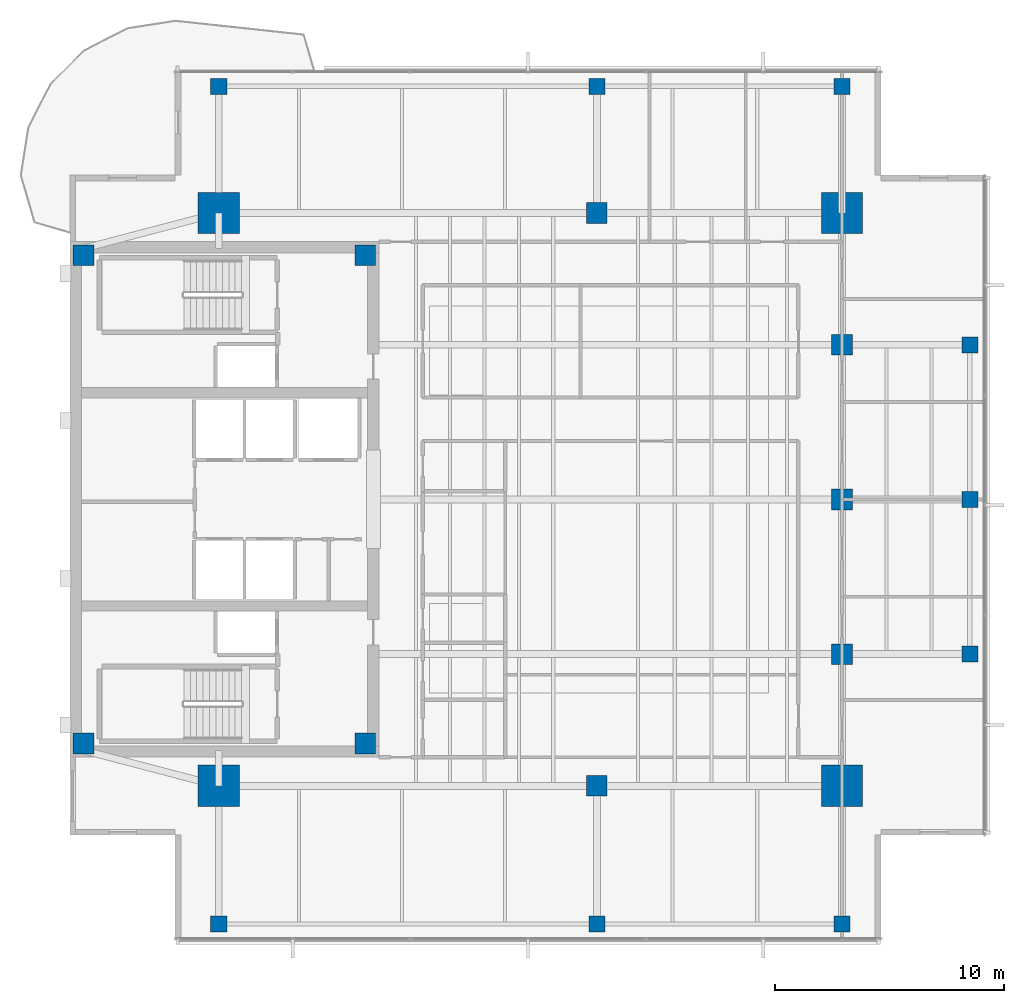
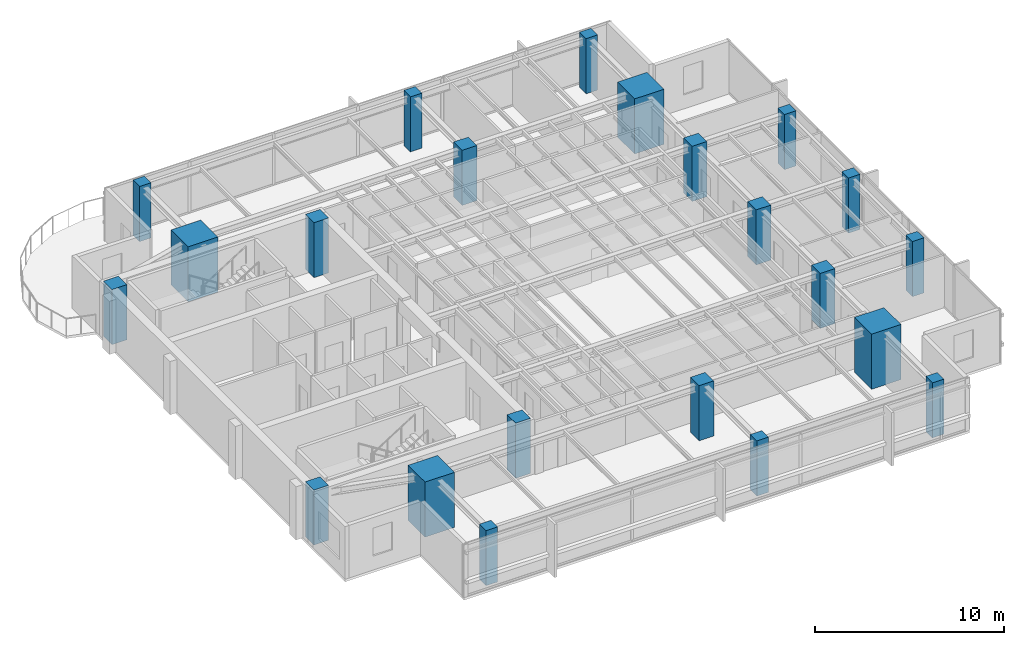
# One storey, part 1 of 13: 22 columns.
"""IFC4 building model written with IfcOpenShell, lengths in metres."""

from ifc_helpers import new_model, si_unit, direction, frame, origin, origin_2d, place, context, subcontext, project, spatial, rectangle, extrude, material, material_profile, profile_set, type_object, element, save


model = new_model("IFC4")

# Units and contexts
model_context = context("Model", 3, precision=1e-05, world=origin(), true_north=direction((0.0, 1.0)))
body_context = subcontext(model_context, "Body", "Model", "MODEL_VIEW")
ifc_project = project(units=[si_unit("LENGTHUNIT", "METRE"), si_unit("AREAUNIT", "SQUARE_METRE"), si_unit("VOLUMEUNIT", "CUBIC_METRE"), si_unit("PLANEANGLEUNIT", "RADIAN"), si_unit("MASSUNIT", "GRAM", prefix="KILO")], contexts=[model_context])

# Site, building, storey
site_placement = place(None, origin())
site = spatial("IfcSite", under=ifc_project, at=site_placement, CompositionType="ELEMENT")
building_placement = place(site_placement, origin())
building = spatial("IfcBuilding", under=site, at=building_placement, Name="Kinhvarn Gate Tower", CompositionType="ELEMENT")
storey_placement = place(building_placement, frame((0.0, 0.0, 288.300048828125)))
storey = spatial("IfcBuildingStorey", under=building, at=storey_placement, Name="L77", CompositionType="ELEMENT", Elevation=288.300048828125)

# Columns
ifc_material_1 = material(Name="Concrete C60/75", Category="concrete")
ifc_material_profile_1 = material_profile(ifc_material_1, rectangle(XDim=1.800048828125, YDim=1.800048828125, at=origin_2d()), Name="RC 1800x1800")
ifc_profile_set_1 = profile_set([ifc_material_profile_1], Name="Concrete C60/75")
column_type_1 = type_object("IfcColumnType", Name="COL-MC-1800", PredefinedType="COLUMN", material=ifc_profile_set_1)
for number, where, z_axis, x_axis, name in (
    (1, (11.0, 12.75, 0.0), (0.0, 0.0, 1.0), (1.0, 0.0, 0.0), "Column MC1-L77 (MC-18)"),
    (2, (11.0, 37.75, 0.0), (0.0, 0.0, 1.0), (1.0, 0.0, 0.0), "Column MC4-L77 (MC-18)"),
    (3, (38.199951171875, 12.75, 0.0), (0.0, 0.0, 1.0), (1.0, 0.0, 0.0), "Column MC2-L77 (MC-18)"),
    (4, (38.199951171875, 37.75, 0.0), (0.0, 0.0, 1.0), (1.0, 0.0, 0.0), "Column MC3-L77 (MC-18)"),
):
    element("IfcColumn", number, at=place(storey_placement, frame(where, z_axis=z_axis, x_axis=x_axis)), inside=storey, type_object=column_type_1, Name=name, PredefinedType="COLUMN", context=body_context, shape_type="SweptSolid", body=[
        extrude(rectangle(XDim=1.800048828125, YDim=1.800048828125, at=origin_2d()), origin(), (0.0, 0.0, 1.0), 3.550048828125),
    ])
ifc_material_2 = material(Name="Concrete C50/60", Category="concrete")
ifc_material_profile_2 = material_profile(ifc_material_2, rectangle(XDim=0.699951171875, YDim=0.699951171875, at=origin_2d()), Name="RC 700x700")
ifc_profile_set_2 = profile_set([ifc_material_profile_2], Name="Concrete C50/60")
column_type_2 = type_object("IfcColumnType", Name="COL-RC-700", PredefinedType="COLUMN", material=ifc_profile_set_2)
for number, where, z_axis, x_axis, name in (
    (5, (43.780029296875, 18.5, 0.0), (0.0, 0.0, 1.0), (1.0, 0.0, 0.0), "Column CE-1-L77 (C-070)"),
    (6, (43.780029296875, 25.25, 0.0), (0.0, 0.0, 1.0), (1.0, 0.0, 0.0), "Column CE-2-L77 (C-070)"),
    (7, (43.780029296875, 32.0, 0.0), (0.0, 0.0, 1.0), (1.0, 0.0, 0.0), "Column CE-3-L77 (C-070)"),
    (8, (11.0, 6.719970703125, 0.0), (0.0, 0.0, 1.0), (1.0, 0.0, 0.0), "Column CS-0-L77 (C-070)"),
    (9, (27.5, 6.719970703125, 0.0), (0.0, 0.0, 1.0), (1.0, 0.0, 0.0), "Column CS-1-L77 (C-070)"),
    (10, (38.199951171875, 6.719970703125, 0.0), (0.0, 0.0, 1.0), (1.0, 0.0, 0.0), "Column CS-2-L77 (C-070)"),
    (11, (11.0, 43.280029296875, 0.0), (0.0, 0.0, 1.0), (1.0, 0.0, 0.0), "Column CN-0-L77 (C-070)"),
    (12, (27.5, 43.280029296875, 0.0), (0.0, 0.0, 1.0), (1.0, 0.0, 0.0), "Column CN-1-L77 (C-070)"),
    (13, (38.199951171875, 43.280029296875, 0.0), (0.0, 0.0, 1.0), (1.0, 0.0, 0.0), "Column CN-2-L77 (C-070)"),
):
    element("IfcColumn", number, at=place(storey_placement, frame(where, z_axis=z_axis, x_axis=x_axis)), inside=storey, type_object=column_type_2, Name=name, PredefinedType="COLUMN", context=body_context, shape_type="SweptSolid", body=[
        extrude(rectangle(XDim=0.699951171875, YDim=0.699951171875, at=origin_2d()), origin(), (0.0, 0.0, 1.0), 3.550048828125),
    ])
ifc_material_profile_3 = material_profile(ifc_material_1, rectangle(XDim=0.89990234375, YDim=0.89990234375, at=origin_2d()), Name="RC 900x900")
ifc_profile_set_3 = profile_set([ifc_material_profile_3], Name="Concrete C60/75")
column_type_3 = type_object("IfcColumnType", Name="COL-RC-900", PredefinedType="COLUMN", material=ifc_profile_set_3)
for number, where, z_axis, x_axis, name in (
    (14, (27.5, 12.75, 0.0), (0.0, 0.0, 1.0), (1.0, 0.0, 0.0), "Column SP27-S-L77 (C-090)"),
    (15, (27.5, 37.75, 0.0), (0.0, 0.0, 1.0), (1.0, 0.0, 0.0), "Column SP27-N-L77 (C-090)"),
    (16, (38.199951171875, 18.5, 0.0), (0.0, 0.0, 1.0), (1.0, 0.0, 0.0), "Column SP38-E1-L77 (C-090)"),
    (17, (38.199951171875, 25.25, 0.0), (0.0, 0.0, 1.0), (1.0, 0.0, 0.0), "Column SP38-E2-L77 (C-090)"),
    (18, (38.199951171875, 32.0, 0.0), (0.0, 0.0, 1.0), (1.0, 0.0, 0.0), "Column SP38-E3-L77 (C-090)"),
):
    element("IfcColumn", number, at=place(storey_placement, frame(where, z_axis=z_axis, x_axis=x_axis)), inside=storey, type_object=column_type_3, Name=name, PredefinedType="COLUMN", context=body_context, shape_type="SweptSolid", body=[
        extrude(rectangle(XDim=0.89990234375, YDim=0.89990234375, at=origin_2d()), origin(), (0.0, 0.0, 1.0), 3.550048828125),
    ])
ifc_material_profile_4 = material_profile(ifc_material_2, rectangle(XDim=0.89990234375, YDim=0.89990234375, at=origin_2d()), Name="RC 900x900")
ifc_profile_set_4 = profile_set([ifc_material_profile_4], Name="Concrete C50/60")
column_type_4 = type_object("IfcColumnType", Name="PIL-RC-900", PredefinedType="PILASTER", material=ifc_profile_set_4)
for number, where, z_axis, x_axis, name in (
    (19, (5.10009765625, 14.60009765625, 0.0), (0.0, 0.0, 1.0), (1.0, 0.0, 0.0), "Column CC-SW-L77 (CP-090)"),
    (20, (5.10009765625, 35.89990234375, 0.0), (0.0, 0.0, 1.0), (1.0, 0.0, 0.0), "Column CC-NW-L77 (CP-090)"),
    (21, (17.39990234375, 14.60009765625, 0.0), (0.0, 0.0, 1.0), (1.0, 0.0, 0.0), "Column CC-SE-L77 (CP-090)"),
    (22, (17.39990234375, 35.89990234375, 0.0), (0.0, 0.0, 1.0), (1.0, 0.0, 0.0), "Column CC-NE-L77 (CP-090)"),
):
    element("IfcColumn", number, at=place(storey_placement, frame(where, z_axis=z_axis, x_axis=x_axis)), inside=storey, type_object=column_type_4, Name=name, PredefinedType="PILASTER", context=body_context, shape_type="SweptSolid", body=[
        extrude(rectangle(XDim=0.89990234375, YDim=0.89990234375, at=origin_2d()), origin(), (0.0, 0.0, 1.0), 3.550048828125),
    ])

save(model, "model.ifc")
